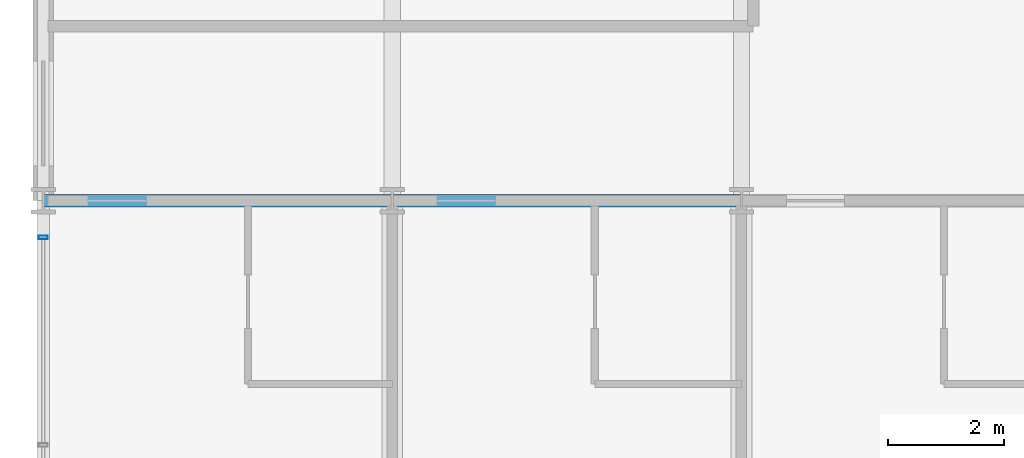
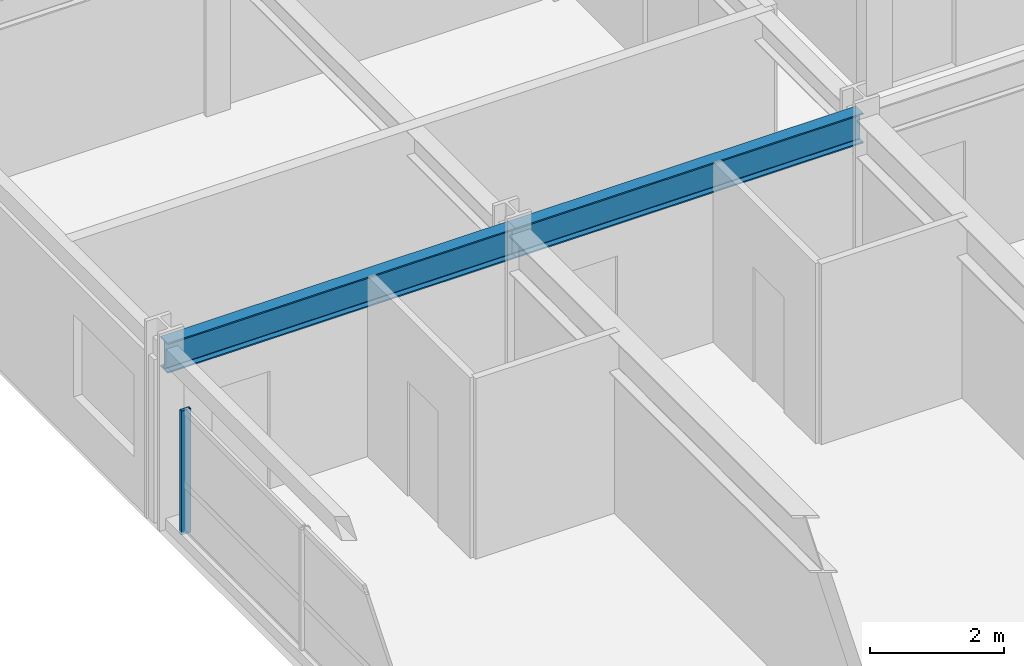
# One storey, part 4 of 26: 2 beams, 1 member, 1 element without a shape of its own.
"""IFC4 building model written with IfcOpenShell, lengths in metres."""

import ifcopenshell
import ifcopenshell.guid

model = None  # the IFC model being written
_history = None  # IfcOwnerHistory: only IFC2X3 demands one
_inside = {}  # id of a spatial element -> (the spatial element, [elements in it])
_under = {}  # id of a project, library or spatial element -> (it, [spatial elements below it])
_declared = {}  # id of a project -> (the project, [libraries it declares])
_typed = {}  # id of a type object -> (the type object, [elements of that type])
_made_of = {}  # id of a material, layer set ... -> (it, [elements and type objects made of it])


def new_model(schema):
    """Start an empty IFC model of exactly this schema.

    Asked for "IFC4X3", IfcOpenShell would pick the latest addendum, in which some entities
    have other attributes; the version numbers below select the first issue.
    IFC2X3 requires an IfcOwnerHistory on every rooted entity: one is made here for all.
    """
    global model, _history
    if schema == "IFC4X3":
        model = ifcopenshell.file(schema_version=(4, 3, 0, 0))
    else:
        model = ifcopenshell.file(schema=schema)
    _inside.clear()
    _under.clear()
    _declared.clear()
    _typed.clear()
    _made_of.clear()
    _history = None
    if model.schema == "IFC2X3":
        org = make("IfcOrganization", Name="unknown")
        user = make(
            "IfcPersonAndOrganization",
            ThePerson=make("IfcPerson", FamilyName="unknown"),
            TheOrganization=org,
        )
        app = make(
            "IfcApplication",
            ApplicationDeveloper=org,
            Version="unknown",
            ApplicationFullName="unknown",
            ApplicationIdentifier="unknown",
        )
        _history = make(
            "IfcOwnerHistory",
            OwningUser=user,
            OwningApplication=app,
            ChangeAction="ADDED",
            CreationDate=0,
        )
    return model


def make(cls, **values):
    """One entity of the class cls with the attributes given. An attribute that is None is left unset."""
    return model.create_entity(
        cls, **{name: value for name, value in values.items() if value is not None}
    )


def rooted(cls, **values):
    """An entity with a GlobalId (a new one), such as an element, a storey or a relation."""
    return make(cls, GlobalId=ifcopenshell.guid.new(), OwnerHistory=_history, **values)


def si_unit(unit_type, name, prefix=None):
    """IfcSIUnit, for example si_unit("LENGTHUNIT", "METRE", prefix="MILLI")."""
    return make("IfcSIUnit", UnitType=unit_type, Prefix=prefix, Name=name)


def assignment(units):
    """IfcUnitAssignment: the units of a project."""
    return None if units is None else make("IfcUnitAssignment", Units=units)


def point(xyz):
    """IfcCartesianPoint."""
    return None if xyz is None else make("IfcCartesianPoint", Coordinates=xyz)


def direction(xyz):
    """IfcDirection."""
    return None if xyz is None else make("IfcDirection", DirectionRatios=xyz)


def frame(location, z_axis=None, x_axis=None):
    """IfcAxis2Placement3D, a coordinate frame: its origin and axes. An axis left out is left unset."""
    return make(
        "IfcAxis2Placement3D",
        Location=point(location),
        Axis=direction(z_axis),
        RefDirection=direction(x_axis),
    )


def frame_2d(location, x_axis=None):
    """IfcAxis2Placement2D, a coordinate frame in the plane: its origin and x axis."""
    return make(
        "IfcAxis2Placement2D", Location=point(location), RefDirection=direction(x_axis)
    )


def origin():
    """The frame at (0, 0, 0) with its axes left unset."""
    return frame((0.0, 0.0, 0.0))


def origin_2d():
    """The frame at (0, 0) in the plane with its x axis left unset."""
    return frame_2d((0.0, 0.0))


def place(relative_to, where):
    """IfcLocalPlacement: puts the frame where relative to a parent placement (None: the world)."""
    return make(
        "IfcLocalPlacement", PlacementRelTo=relative_to, RelativePlacement=where
    )


def context(
    kind, dimensions, precision=None, world=None, true_north=None, identifier=None
):
    """IfcGeometricRepresentationContext, for example the 3D "Model" context."""
    return make(
        "IfcGeometricRepresentationContext",
        ContextIdentifier=identifier,
        ContextType=kind,
        CoordinateSpaceDimension=dimensions,
        Precision=precision,
        WorldCoordinateSystem=world,
        TrueNorth=true_north,
    )


def subcontext(parent, identifier, kind, view, scale=None):
    """IfcGeometricRepresentationSubContext, for example "Body" below "Model"."""
    return make(
        "IfcGeometricRepresentationSubContext",
        ContextIdentifier=identifier,
        ContextType=kind,
        ParentContext=parent,
        TargetScale=scale,
        TargetView=view,
    )


def project(units=None, contexts=None):
    """IfcProject with its units and contexts."""
    return rooted(
        "IfcProject",
        Name="project",
        RepresentationContexts=contexts,
        UnitsInContext=assignment(units),
    )


def spatial(cls, under=None, at=None, **own):
    """A site, building, storey or space (cls), placed at a placement, below another one or the project."""
    s = rooted(cls, ObjectPlacement=at, **own)
    if under is not None:
        _under.setdefault(under.id(), (under, []))[1].append(s)
    return s


def profile(cls, at=None, kind="AREA", **sizes):
    """A parametric profile (cls). Its sizes go by their IFC names, for example OverallWidth=200.0."""
    return make(cls, ProfileType=kind, Position=at, **sizes)


def hollow_rectangle(**sizes):
    """IfcRectangleHollowProfileDef."""
    return profile("IfcRectangleHollowProfileDef", **sizes)


def i_section(**sizes):
    """IfcIShapeProfileDef."""
    return profile("IfcIShapeProfileDef", **sizes)


def extrude(swept, where, along, depth):
    """IfcExtrudedAreaSolid: the profile swept, set in the frame where, extruded along a direction by depth."""
    return make(
        "IfcExtrudedAreaSolid",
        SweptArea=swept,
        Position=where,
        ExtrudedDirection=direction(along),
        Depth=depth,
    )


def shape(context_of_items, identifier, shape_type, items):
    """IfcShapeRepresentation: the items that make up one representation, for example the "Body"."""
    return make(
        "IfcShapeRepresentation",
        ContextOfItems=context_of_items,
        RepresentationIdentifier=identifier,
        RepresentationType=shape_type,
        Items=items,
    )


def material(Name=None, Category=None):
    """IfcMaterial."""
    return make("IfcMaterial", Name=Name, Category=Category)


def material_profile(
    of_material, cross_section, Name=None, Category=None, Priority=None
):
    """IfcMaterialProfile: a cross section and its material."""
    return make(
        "IfcMaterialProfile",
        Name=Name,
        Material=of_material,
        Profile=cross_section,
        Priority=Priority,
        Category=Category,
    )


def profile_set(profiles, Name=None, composite=None):
    """IfcMaterialProfileSet."""
    return make(
        "IfcMaterialProfileSet",
        Name=Name,
        MaterialProfiles=profiles,
        CompositeProfile=composite,
    )


def made_of(thing, what):
    """Note that an element or type object is made of a material, layer set ...; save() writes the relation."""
    if what is not None:
        _made_of.setdefault(what.id(), (what, []))[1].append(thing)
    return thing


def type_object(cls, material=None, **own):
    """A type object (cls), such as IfcWallType, which elements share."""
    return made_of(rooted(cls, **own), material)


def element(
    cls,
    number,
    at=None,
    inside=None,
    cuts=None,
    type_object=None,
    material=None,
    context=None,
    identifier="Body",
    shape_type=None,
    held_by="IfcProductDefinitionShape",
    body=None,
    shapes=None,
    **own,
):
    """One element of the class cls, such as IfcWall. Its Tag is "e" and its number.

    at: its placement. inside: the storey or other place that contains it. cuts: it is an
    opening in that element (IfcRelVoidsElement). A single representation is given by context,
    identifier, shape_type and body (its items); several are given by shapes. held_by: the class
    of the entity that holds the representations. save() writes the other relations.
    """
    e = rooted(cls, Tag="e%d" % number, ObjectPlacement=at, **own)
    if body is not None:
        shapes = [shape(context, identifier, shape_type, body)]
    if shapes is not None:
        e.Representation = make(held_by, Representations=shapes)
    if inside is not None:
        _inside.setdefault(inside.id(), (inside, []))[1].append(e)
    if cuts is not None:
        rooted(
            "IfcRelVoidsElement", RelatingBuildingElement=cuts, RelatedOpeningElement=e
        )
    if type_object is not None:
        _typed.setdefault(type_object.id(), (type_object, []))[1].append(e)
    return made_of(e, material)


def aggregate(whole, parts):
    """IfcRelAggregates: a whole, such as a stair, and the parts it consists of."""
    return rooted("IfcRelAggregates", RelatingObject=whole, RelatedObjects=parts)


def save(model, path):
    """Write the relations noted so far, then the file.

    IfcRelAggregates (storeys below a building ...), IfcRelContainedInSpatialStructure (elements
    in a storey), IfcRelDefinesByType, IfcRelAssociatesMaterial and IfcRelDeclares: one each for
    every whole, place, type object, material and project.
    """
    for whole, parts in _under.values():
        aggregate(whole, parts)
    for where, things in _inside.values():
        rooted(
            "IfcRelContainedInSpatialStructure",
            RelatedElements=things,
            RelatingStructure=where,
        )
    for kind, things in _typed.values():
        rooted("IfcRelDefinesByType", RelatedObjects=things, RelatingType=kind)
    for what, things in _made_of.values():
        rooted("IfcRelAssociatesMaterial", RelatedObjects=things, RelatingMaterial=what)
    for by, libraries in _declared.values():
        rooted("IfcRelDeclares", RelatingContext=by, RelatedDefinitions=libraries)
    model.write(path)


model = new_model("IFC4")

# Units and contexts
model_context = context("Model", 3, precision=1e-05, world=origin(), true_north=direction((0.0, 1.0)))
body_context = subcontext(model_context, "Body", "Model", "MODEL_VIEW")
ifc_project = project(units=[si_unit("LENGTHUNIT", "METRE"), si_unit("AREAUNIT", "SQUARE_METRE"), si_unit("VOLUMEUNIT", "CUBIC_METRE"), si_unit("PLANEANGLEUNIT", "RADIAN"), si_unit("MASSUNIT", "GRAM", prefix="KILO")], contexts=[model_context])

# Site, building, storey
site_placement = place(None, origin())
site = spatial("IfcSite", under=ifc_project, at=site_placement, CompositionType="ELEMENT")
building_placement = place(site_placement, origin())
building = spatial("IfcBuilding", under=site, at=building_placement, Name="Kaldorvane Square Convention Centre", CompositionType="ELEMENT")
storey_placement = place(building_placement, frame((0.0, 0.0, 42.0)))
storey = spatial("IfcBuildingStorey", under=building, at=storey_placement, Name="L09", CompositionType="ELEMENT", Elevation=42.0)

# Beams
ifc_material_1 = material(Name="Steel ASTM A992 Gr. 50", Category="steel")
ifc_material_profile_1 = material_profile(ifc_material_1, i_section(OverallWidth=0.213897705078125, OverallDepth=0.549102783203125, WebThickness=0.0146942138671875, FlangeThickness=0.0236053466796875, FilletRadius=0.0126953125, at=origin_2d()), Name="W21X93")
ifc_profile_set_1 = profile_set([ifc_material_profile_1], Name="Steel ASTM A992 Gr. 50")
beam_type = type_object("IfcBeamType", Name="BM-GR-W21X93", PredefinedType="BEAM", material=ifc_profile_set_1)
for number, where, z_axis, x_axis, name in (
    (1, (24.0, 96.0, 3.011505126953125), (1.0, 0.0, 0.0), (0.0, 1.0, 0.0), "Primary Girder (L09)"),
    (2, (30.0, 96.0, 3.011505126953125), (1.0, 0.0, 0.0), (0.0, 1.0, 0.0), "Primary Girder (L09)"),
):
    element("IfcBeam", number, at=place(storey_placement, frame(where, z_axis=z_axis, x_axis=x_axis)), inside=storey, type_object=beam_type, Name=name, PredefinedType="BEAM", context=body_context, shape_type="SweptSolid", body=[
        extrude(i_section(OverallWidth=0.213897705078125, OverallDepth=0.549102783203125, WebThickness=0.0146942138671875, FlangeThickness=0.0236053466796875, FilletRadius=0.0126953125, at=origin_2d()), origin(), (0.0, 0.0, 1.0), 6.0),
    ])

# Curtain wall, member
ifc_material_2 = material(Name="Anodized Aluminum and Low-E Insulated Glazing", Category="aluminium")
curtain_wall_type = type_object("IfcCurtainWallType", Name="CW-UNI-HTL-B", PredefinedType="USERDEFINED", material=ifc_material_2)
curtain_wall_placement = place(storey_placement, origin())
curtain_wall = element("IfcCurtainWall", 3, at=curtain_wall_placement, inside=storey, type_object=curtain_wall_type, Name="Curtain Wall CW-11 (L09)", ObjectType="UNITISED GLAZING", PredefinedType="USERDEFINED")
ifc_material_profile_2 = material_profile(ifc_material_2, hollow_rectangle(XDim=0.05999755859375, YDim=0.160003662109375, WallThickness=0.003204345703125, at=origin_2d()), Name="CWM-160X60")
ifc_profile_set_2 = profile_set([ifc_material_profile_2], Name="Anodized Aluminum and Low-E Insulated Glazing")
member_type = type_object("IfcMemberType", Name="CW-MUL-160", PredefinedType="MULLION", material=ifc_profile_set_2)
member_placement = place(storey_placement, frame((24.0, 95.3699951171875, 0.149993896484375), z_axis=(0.0, 0.0, 1.0), x_axis=(0.0, -1.0, 0.0)))
member = element("IfcMember", 4, at=member_placement, type_object=member_type, Name="CW-11 mullion 1", PredefinedType="MULLION", context=body_context, shape_type="SweptSolid", body=[
    extrude(hollow_rectangle(XDim=0.05999755859375, YDim=0.160003662109375, WallThickness=0.003204345703125, at=origin_2d()), origin(), (0.0, 0.0, 1.0), 2.260009765625),
])
aggregate(curtain_wall, [member])

save(model, "model.ifc")
